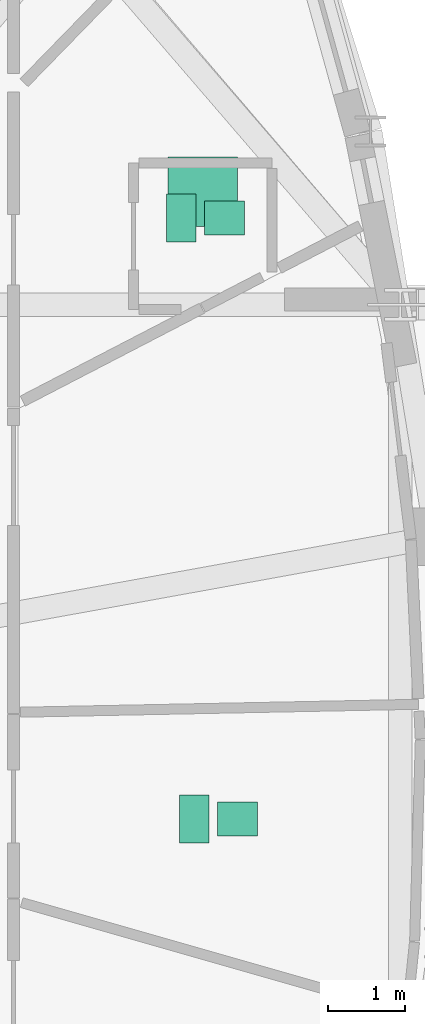
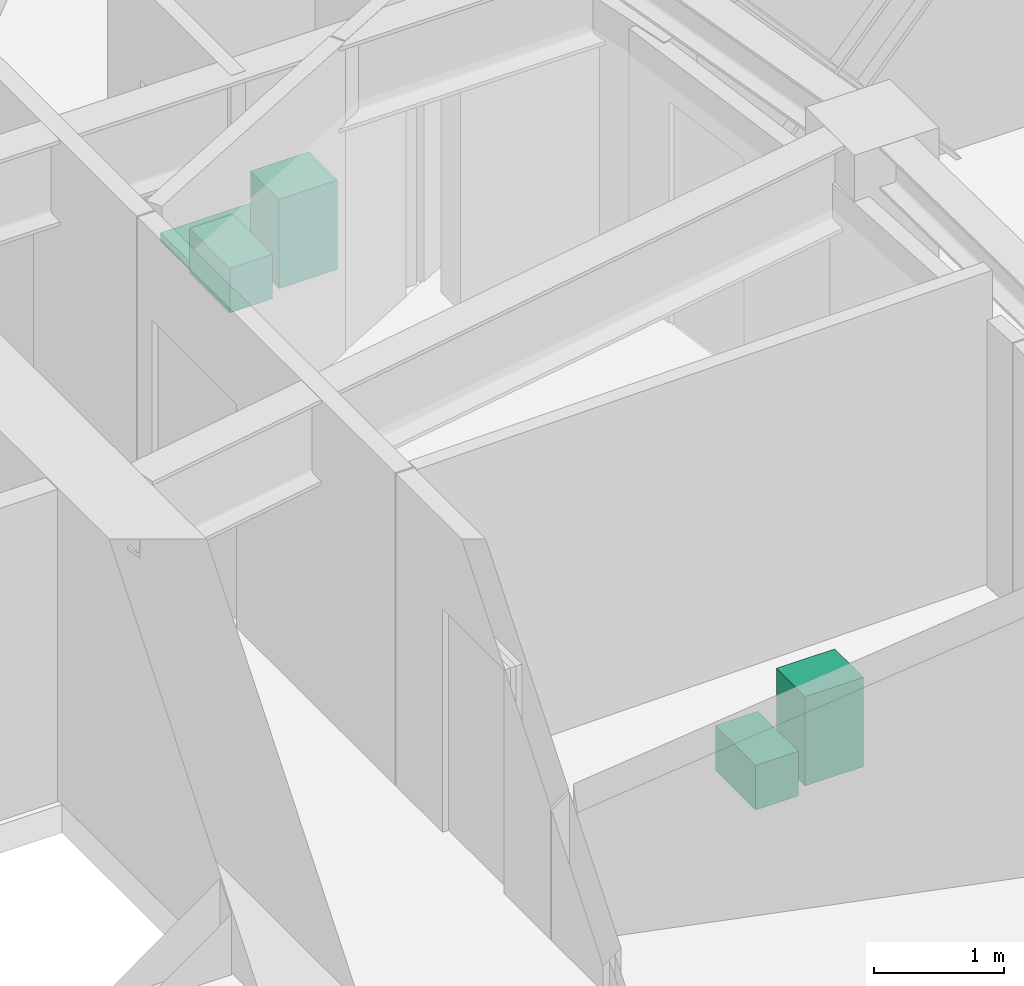
# One storey, part 13 of 13: 5 sanitary terminals.
"""IFC4 building model written with IfcOpenShell, lengths in metres."""

from ifc_helpers import new_model, si_unit, direction, frame, origin, origin_2d, place, context, subcontext, project, spatial, rectangle, extrude, source, transform, mapped, material, type_object, element, save


model = new_model("IFC4")

# Units and contexts
model_context = context("Model", 3, precision=1e-05, world=origin(), true_north=direction((0.0, 1.0)))
body_context = subcontext(model_context, "Body", "Model", "MODEL_VIEW")
ifc_project = project(units=[si_unit("LENGTHUNIT", "METRE"), si_unit("AREAUNIT", "SQUARE_METRE"), si_unit("VOLUMEUNIT", "CUBIC_METRE"), si_unit("PLANEANGLEUNIT", "RADIAN"), si_unit("MASSUNIT", "GRAM", prefix="KILO")], contexts=[model_context])

# Site, building, storey
site_placement = place(None, origin())
site = spatial("IfcSite", under=ifc_project, at=site_placement, CompositionType="ELEMENT")
building_placement = place(site_placement, origin())
building = spatial("IfcBuilding", under=site, at=building_placement, Name="Qafzar Sky-Pleat Residences", CompositionType="ELEMENT")
storey_placement = place(building_placement, frame((0.0, 0.0, 152.199951171875)))
storey = spatial("IfcBuildingStorey", under=building, at=storey_placement, Name="L45", CompositionType="ELEMENT", Elevation=152.199951171875)

# Sanitary terminals
ifc_material_1 = material(Name="Vitreous china sanitaryware")
sanitary_terminal_type_1 = type_object("IfcSanitaryTerminalType", Name="SAN-WC-PAN", PredefinedType="TOILETPAN", material=ifc_material_1)
shared_shape_1 = source(origin(), body_context, "Body", "SweptSolid", [
    extrude(rectangle(XDim=0.3798828125, YDim=0.6201171875, at=origin_2d()), origin(), (0.0, 0.0, 1.0), 0.419921875),
])
for number, where, z_axis, x_axis, name in (
    (1, (40.67626953125, 24.77490234375, 0.0), (0.0, 0.0, 1.0), (1.0, 0.0, 0.0), "L45 Accessible Shared Washroom WC Pan"),
    (2, (40.507080078125, 32.576904296875, 0.0), (0.0, 0.0, 1.0), (1.0, 0.0, 0.0), "L45 En-suite Bathroom 1 WC Pan"),
):
    element("IfcSanitaryTerminal", number, at=place(storey_placement, frame(where, z_axis=z_axis, x_axis=x_axis)), inside=storey, type_object=sanitary_terminal_type_1, Name=name, PredefinedType="TOILETPAN", context=body_context, shape_type="MappedRepresentation", body=[
        mapped(shared_shape_1, transform((0.0, 0.0, 0.0), x_axis=(1.0, 0.0, 0.0), y_axis=(0.0, 1.0, 0.0), z_axis=(0.0, 0.0, 1.0), scale=1.0)),
    ])
sanitary_terminal_type_2 = type_object("IfcSanitaryTerminalType", Name="SAN-BASIN", PredefinedType="WASHHANDBASIN", material=ifc_material_1)
shared_shape_2 = source(origin(), body_context, "Body", "SweptSolid", [
    extrude(rectangle(XDim=0.52001953125, YDim=0.43994140625, at=origin_2d()), origin(), (0.0, 0.0, 1.0), 0.840087890625),
])
for number, where, z_axis, x_axis, name in (
    (3, (41.236083984375, 24.77490234375, 0.0), (0.0, 0.0, 1.0), (1.0, 0.0, 0.0), "L45 Accessible Shared Washroom Pedestal Washbasin"),
    (4, (41.06689453125, 32.576904296875, 0.0), (0.0, 0.0, 1.0), (1.0, 0.0, 0.0), "L45 En-suite Bathroom 1 Pedestal Washbasin"),
):
    element("IfcSanitaryTerminal", number, at=place(storey_placement, frame(where, z_axis=z_axis, x_axis=x_axis)), inside=storey, type_object=sanitary_terminal_type_2, Name=name, PredefinedType="WASHHANDBASIN", context=body_context, shape_type="MappedRepresentation", body=[
        mapped(shared_shape_2, transform((0.0, 0.0, 0.0), x_axis=(1.0, 0.0, 0.0), y_axis=(0.0, 1.0, 0.0), z_axis=(0.0, 0.0, 1.0), scale=1.0)),
    ])
ifc_material_2 = material(Name="Vitreous china and acrylic tray")
sanitary_terminal_type_3 = type_object("IfcSanitaryTerminalType", Name="SAN-SHOWER", PredefinedType="SHOWER", material=ifc_material_2)
shared_shape_3 = source(origin(), body_context, "Body", "SweptSolid", [
    extrude(rectangle(XDim=0.89990234375, YDim=0.89990234375, at=origin_2d()), origin(), (0.0, 0.0, 1.0), 0.080078125),
])
sanitary_terminal_placement = place(storey_placement, frame((40.787109375, 32.9169921875, 0.0), z_axis=(0.0, 0.0, 1.0), x_axis=(1.0, 0.0, 0.0)))
element("IfcSanitaryTerminal", 5, at=sanitary_terminal_placement, inside=storey, type_object=sanitary_terminal_type_3, Name="L45 En-suite Bathroom 1 Walk-In Shower", PredefinedType="SHOWER", context=body_context, shape_type="MappedRepresentation", body=[
    mapped(shared_shape_3, transform((0.0, 0.0, 0.0), x_axis=(1.0, 0.0, 0.0), y_axis=(0.0, 1.0, 0.0), z_axis=(0.0, 0.0, 1.0), scale=1.0)),
])

save(model, "model.ifc")
